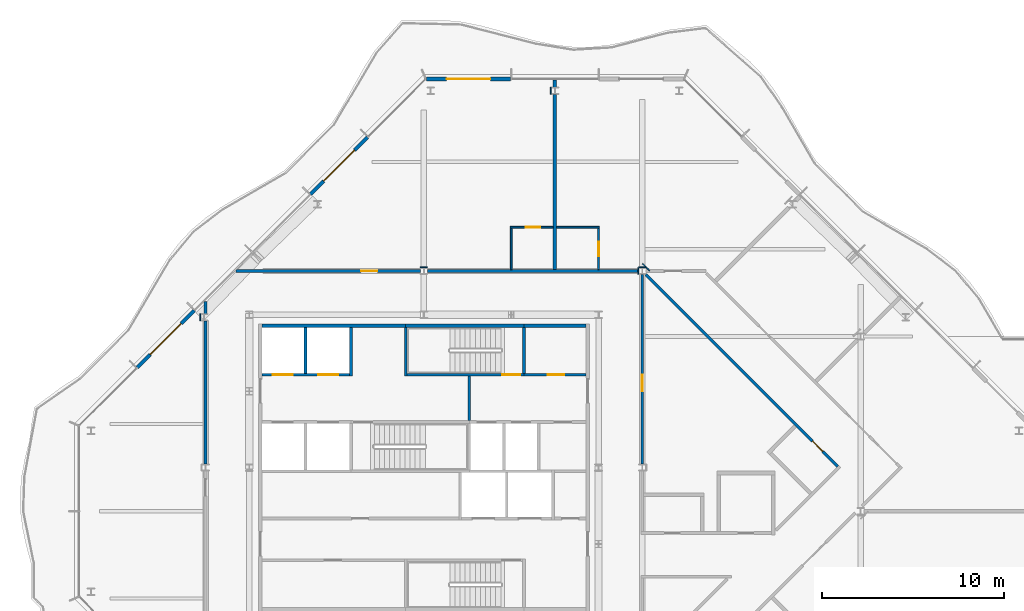
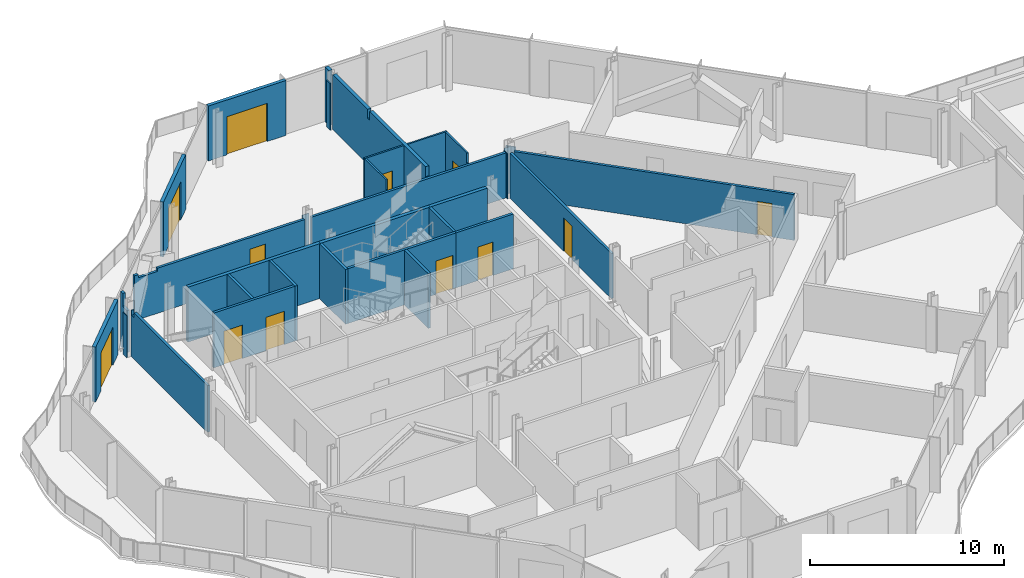
# One storey, part 10 of 16: 32 walls, 12 doors, 12 openings.
"""IFC4 building model written with IfcOpenShell, lengths in metres."""

import ifcopenshell
import ifcopenshell.guid

model = None  # the IFC model being written
_history = None  # IfcOwnerHistory: only IFC2X3 demands one
_inside = {}  # id of a spatial element -> (the spatial element, [elements in it])
_under = {}  # id of a project, library or spatial element -> (it, [spatial elements below it])
_declared = {}  # id of a project -> (the project, [libraries it declares])
_typed = {}  # id of a type object -> (the type object, [elements of that type])
_made_of = {}  # id of a material, layer set ... -> (it, [elements and type objects made of it])


def new_model(schema):
    """Start an empty IFC model of exactly this schema.

    Asked for "IFC4X3", IfcOpenShell would pick the latest addendum, in which some entities
    have other attributes; the version numbers below select the first issue.
    IFC2X3 requires an IfcOwnerHistory on every rooted entity: one is made here for all.
    """
    global model, _history
    if schema == "IFC4X3":
        model = ifcopenshell.file(schema_version=(4, 3, 0, 0))
    else:
        model = ifcopenshell.file(schema=schema)
    _inside.clear()
    _under.clear()
    _declared.clear()
    _typed.clear()
    _made_of.clear()
    _history = None
    if model.schema == "IFC2X3":
        org = make("IfcOrganization", Name="unknown")
        user = make(
            "IfcPersonAndOrganization",
            ThePerson=make("IfcPerson", FamilyName="unknown"),
            TheOrganization=org,
        )
        app = make(
            "IfcApplication",
            ApplicationDeveloper=org,
            Version="unknown",
            ApplicationFullName="unknown",
            ApplicationIdentifier="unknown",
        )
        _history = make(
            "IfcOwnerHistory",
            OwningUser=user,
            OwningApplication=app,
            ChangeAction="ADDED",
            CreationDate=0,
        )
    return model


def make(cls, **values):
    """One entity of the class cls with the attributes given. An attribute that is None is left unset."""
    return model.create_entity(
        cls, **{name: value for name, value in values.items() if value is not None}
    )


def rooted(cls, **values):
    """An entity with a GlobalId (a new one), such as an element, a storey or a relation."""
    return make(cls, GlobalId=ifcopenshell.guid.new(), OwnerHistory=_history, **values)


def si_unit(unit_type, name, prefix=None):
    """IfcSIUnit, for example si_unit("LENGTHUNIT", "METRE", prefix="MILLI")."""
    return make("IfcSIUnit", UnitType=unit_type, Prefix=prefix, Name=name)


def assignment(units):
    """IfcUnitAssignment: the units of a project."""
    return None if units is None else make("IfcUnitAssignment", Units=units)


def point(xyz):
    """IfcCartesianPoint."""
    return None if xyz is None else make("IfcCartesianPoint", Coordinates=xyz)


def direction(xyz):
    """IfcDirection."""
    return None if xyz is None else make("IfcDirection", DirectionRatios=xyz)


def frame(location, z_axis=None, x_axis=None):
    """IfcAxis2Placement3D, a coordinate frame: its origin and axes. An axis left out is left unset."""
    return make(
        "IfcAxis2Placement3D",
        Location=point(location),
        Axis=direction(z_axis),
        RefDirection=direction(x_axis),
    )


def frame_2d(location, x_axis=None):
    """IfcAxis2Placement2D, a coordinate frame in the plane: its origin and x axis."""
    return make(
        "IfcAxis2Placement2D", Location=point(location), RefDirection=direction(x_axis)
    )


def origin():
    """The frame at (0, 0, 0) with its axes left unset."""
    return frame((0.0, 0.0, 0.0))


def place(relative_to, where):
    """IfcLocalPlacement: puts the frame where relative to a parent placement (None: the world)."""
    return make(
        "IfcLocalPlacement", PlacementRelTo=relative_to, RelativePlacement=where
    )


def context(
    kind, dimensions, precision=None, world=None, true_north=None, identifier=None
):
    """IfcGeometricRepresentationContext, for example the 3D "Model" context."""
    return make(
        "IfcGeometricRepresentationContext",
        ContextIdentifier=identifier,
        ContextType=kind,
        CoordinateSpaceDimension=dimensions,
        Precision=precision,
        WorldCoordinateSystem=world,
        TrueNorth=true_north,
    )


def subcontext(parent, identifier, kind, view, scale=None):
    """IfcGeometricRepresentationSubContext, for example "Body" below "Model"."""
    return make(
        "IfcGeometricRepresentationSubContext",
        ContextIdentifier=identifier,
        ContextType=kind,
        ParentContext=parent,
        TargetScale=scale,
        TargetView=view,
    )


def project(units=None, contexts=None):
    """IfcProject with its units and contexts."""
    return rooted(
        "IfcProject",
        Name="project",
        RepresentationContexts=contexts,
        UnitsInContext=assignment(units),
    )


def spatial(cls, under=None, at=None, **own):
    """A site, building, storey or space (cls), placed at a placement, below another one or the project."""
    s = rooted(cls, ObjectPlacement=at, **own)
    if under is not None:
        _under.setdefault(under.id(), (under, []))[1].append(s)
    return s


def polyline(points):
    """IfcPolyline through the points."""
    return make("IfcPolyline", Points=[point(p) for p in points])


def profile(cls, at=None, kind="AREA", **sizes):
    """A parametric profile (cls). Its sizes go by their IFC names, for example OverallWidth=200.0."""
    return make(cls, ProfileType=kind, Position=at, **sizes)


def rectangle(**sizes):
    """IfcRectangleProfileDef."""
    return profile("IfcRectangleProfileDef", **sizes)


def outline(outer, holes=None, kind="AREA"):
    """IfcArbitraryClosedProfileDef: a profile drawn as a closed curve; with holes, ...WithVoids."""
    if holes is None:
        return make("IfcArbitraryClosedProfileDef", ProfileType=kind, OuterCurve=outer)
    return make(
        "IfcArbitraryProfileDefWithVoids",
        ProfileType=kind,
        OuterCurve=outer,
        InnerCurves=holes,
    )


def extrude(swept, where, along, depth):
    """IfcExtrudedAreaSolid: the profile swept, set in the frame where, extruded along a direction by depth."""
    return make(
        "IfcExtrudedAreaSolid",
        SweptArea=swept,
        Position=where,
        ExtrudedDirection=direction(along),
        Depth=depth,
    )


def shape(context_of_items, identifier, shape_type, items):
    """IfcShapeRepresentation: the items that make up one representation, for example the "Body"."""
    return make(
        "IfcShapeRepresentation",
        ContextOfItems=context_of_items,
        RepresentationIdentifier=identifier,
        RepresentationType=shape_type,
        Items=items,
    )


def material(Name=None, Category=None):
    """IfcMaterial."""
    return make("IfcMaterial", Name=Name, Category=Category)


def layer(
    of_material, thickness, ventilated=None, Name=None, Category=None, Priority=None
):
    """IfcMaterialLayer: one layer of a wall or slab, of a material (None: an air gap)."""
    return make(
        "IfcMaterialLayer",
        Material=of_material,
        LayerThickness=thickness,
        IsVentilated=ventilated,
        Name=Name,
        Category=Category,
        Priority=Priority,
    )


def layer_set(layers, Name=None):
    """IfcMaterialLayerSet."""
    return make("IfcMaterialLayerSet", MaterialLayers=layers, LayerSetName=Name)


def made_of(thing, what):
    """Note that an element or type object is made of a material, layer set ...; save() writes the relation."""
    if what is not None:
        _made_of.setdefault(what.id(), (what, []))[1].append(thing)
    return thing


def type_object(cls, material=None, **own):
    """A type object (cls), such as IfcWallType, which elements share."""
    return made_of(rooted(cls, **own), material)


def element(
    cls,
    number,
    at=None,
    inside=None,
    cuts=None,
    type_object=None,
    material=None,
    context=None,
    identifier="Body",
    shape_type=None,
    held_by="IfcProductDefinitionShape",
    body=None,
    shapes=None,
    **own,
):
    """One element of the class cls, such as IfcWall. Its Tag is "e" and its number.

    at: its placement. inside: the storey or other place that contains it. cuts: it is an
    opening in that element (IfcRelVoidsElement). A single representation is given by context,
    identifier, shape_type and body (its items); several are given by shapes. held_by: the class
    of the entity that holds the representations. save() writes the other relations.
    """
    e = rooted(cls, Tag="e%d" % number, ObjectPlacement=at, **own)
    if body is not None:
        shapes = [shape(context, identifier, shape_type, body)]
    if shapes is not None:
        e.Representation = make(held_by, Representations=shapes)
    if inside is not None:
        _inside.setdefault(inside.id(), (inside, []))[1].append(e)
    if cuts is not None:
        rooted(
            "IfcRelVoidsElement", RelatingBuildingElement=cuts, RelatedOpeningElement=e
        )
    if type_object is not None:
        _typed.setdefault(type_object.id(), (type_object, []))[1].append(e)
    return made_of(e, material)


def fill(opening, filler):
    """IfcRelFillsElement: the door or window that sits in an opening."""
    return rooted(
        "IfcRelFillsElement",
        RelatingOpeningElement=opening,
        RelatedBuildingElement=filler,
    )


def aggregate(whole, parts):
    """IfcRelAggregates: a whole, such as a stair, and the parts it consists of."""
    return rooted("IfcRelAggregates", RelatingObject=whole, RelatedObjects=parts)


def save(model, path):
    """Write the relations noted so far, then the file.

    IfcRelAggregates (storeys below a building ...), IfcRelContainedInSpatialStructure (elements
    in a storey), IfcRelDefinesByType, IfcRelAssociatesMaterial and IfcRelDeclares: one each for
    every whole, place, type object, material and project.
    """
    for whole, parts in _under.values():
        aggregate(whole, parts)
    for where, things in _inside.values():
        rooted(
            "IfcRelContainedInSpatialStructure",
            RelatedElements=things,
            RelatingStructure=where,
        )
    for kind, things in _typed.values():
        rooted("IfcRelDefinesByType", RelatedObjects=things, RelatingType=kind)
    for what, things in _made_of.values():
        rooted("IfcRelAssociatesMaterial", RelatedObjects=things, RelatingMaterial=what)
    for by, libraries in _declared.values():
        rooted("IfcRelDeclares", RelatingContext=by, RelatedDefinitions=libraries)
    model.write(path)


model = new_model("IFC4")

# Units and contexts
model_context = context("Model", 3, precision=1e-05, world=origin(), true_north=direction((0.0, 1.0)))
body_context = subcontext(model_context, "Body", "Model", "MODEL_VIEW")
ifc_project = project(units=[si_unit("LENGTHUNIT", "METRE"), si_unit("AREAUNIT", "SQUARE_METRE"), si_unit("VOLUMEUNIT", "CUBIC_METRE"), si_unit("PLANEANGLEUNIT", "RADIAN"), si_unit("MASSUNIT", "GRAM", prefix="KILO")], contexts=[model_context])

# Site, building, storey
site_placement = place(None, origin())
site = spatial("IfcSite", under=ifc_project, at=site_placement, CompositionType="ELEMENT")
building_placement = place(site_placement, origin())
building = spatial("IfcBuilding", under=site, at=building_placement, Name="Cairn Pilgrim Tower", CompositionType="ELEMENT")
storey_placement = place(building_placement, frame((0.0, 0.0, 267.0)))
storey = spatial("IfcBuildingStorey", under=building, at=storey_placement, Name="L68", CompositionType="ELEMENT", Elevation=267.0)

# Wall, opening, door
ifc_material_1 = material(Name="Bronze anodised aluminium insulated sandwich panel with mineral wool fill", Category="aluminium")
ifc_layer_1 = layer(ifc_material_1, 0.199951171875)
ifc_layer_set_1 = layer_set([ifc_layer_1], Name="BRONZE INFILL FRAME WALL 200")
wall_type_1 = type_object("IfcWallType", Name="BRONZE INFILL FRAME WALL 200", PredefinedType="NOTDEFINED", material=ifc_layer_set_1)
wall_1_placement = place(storey_placement, frame((11.969970703125, 23.75, 0.0), z_axis=(0.0, 0.0, 1.0), x_axis=(-1.0, 0.0, 0.0)))
wall_1 = element("IfcWall", 1, at=wall_1_placement, inside=storey, type_object=wall_type_1, Name="Bronze infill frame wall IW-N3", PredefinedType="NOTDEFINED", context=body_context, shape_type="SweptSolid", body=[
    extrude(rectangle(XDim=4.62646484375, YDim=0.199951171875, at=frame_2d((2.313232421875, 0.0))), origin(), (0.0, 0.0, 1.0), 3.449951171875),
])
opening_1_placement = place(wall_1_placement, frame((1.117919921875, 0.0, 0.0)))
opening_1 = element("IfcOpeningElement", 2, at=opening_1_placement, cuts=wall_1, Name="Opening 6807B2", PredefinedType="OPENING", context=body_context, shape_type="SweptSolid", body=[
    extrude(rectangle(XDim=2.39990234375, YDim=2.39990234375, at=frame_2d((1.199951171875, 1.199951171875))), frame((0.0, 0.10986328125, 0.0), z_axis=(0.0, -1.0, 0.0), x_axis=(1.0, 0.0, 0.0)), (0.0, 0.0, 1.0), 0.219970703125),
])
ifc_material_2 = material(Name="Bronze anodised aluminium frame with tinted low-E glass", Category="aluminium")
door_type_1 = type_object("IfcDoorType", Name="BALCONY SLIDING DOOR 2400x2400", OperationType="DOUBLE_DOOR_SLIDING", PredefinedType="DOOR", material=ifc_material_2)
door_1_placement = place(opening_1_placement, origin())
door_1 = element("IfcDoor", 3, at=door_1_placement, inside=storey, type_object=door_type_1, Name="Balcony sliding door 6807B2", OperationType="SINGLE_SWING_LEFT", OverallHeight=2.39990234375, OverallWidth=2.39990234375, PredefinedType="DOOR", context=body_context, shape_type="SweptSolid", body=[
    extrude(rectangle(XDim=2.39990234375, YDim=2.39990234375, at=frame_2d((1.199951171875, 1.199951171875))), frame((0.0, 0.02490234375, 0.0), z_axis=(0.0, -1.0, 0.0), x_axis=(1.0, 0.0, 0.0)), (0.0, 0.0, 1.0), 0.050048828125),
])
fill(opening_1, door_1)

wall_2_placement = place(storey_placement, frame((4.106689453125, 20.55322265625, 0.0), z_axis=(0.0, 0.0, 1.0), x_axis=(-0.707079231393, -0.707134329907, 0.0)))
wall_2 = element("IfcWall", 4, at=wall_2_placement, inside=storey, type_object=wall_type_1, Name="Bronze infill frame wall IW-NW2", PredefinedType="NOTDEFINED", context=body_context, shape_type="SweptSolid", body=[
    extrude(rectangle(XDim=4.430908203125, YDim=0.199951171875, at=frame_2d((2.21533203125, 0.0))), origin(), (0.0, 0.0, 1.0), 3.449951171875),
])
opening_2_placement = place(wall_2_placement, frame((1.015380859375, 0.0, 0.0)))
opening_2 = element("IfcOpeningElement", 5, at=opening_2_placement, cuts=wall_2, Name="Opening 6807B", PredefinedType="OPENING", context=body_context, shape_type="SweptSolid", body=[
    extrude(rectangle(XDim=2.39990234375, YDim=2.39990234375, at=frame_2d((1.199951171875, 1.199951171875))), frame((0.0, 0.10986328125, 0.0), z_axis=(0.0, -1.0, 0.0), x_axis=(1.0, 0.0, 0.0)), (0.0, 0.0, 1.0), 0.219970703125),
])
door_2_placement = place(opening_2_placement, origin())
door_2 = element("IfcDoor", 6, at=door_2_placement, inside=storey, type_object=door_type_1, Name="Balcony sliding door 6807B", OperationType="SINGLE_SWING_LEFT", OverallHeight=2.39990234375, OverallWidth=2.39990234375, PredefinedType="DOOR", context=body_context, shape_type="SweptSolid", body=[
    extrude(rectangle(XDim=2.39990234375, YDim=2.39990234375, at=frame_2d((1.199951171875, 1.199951171875))), frame((0.0, 0.02490234375, 0.0), z_axis=(0.0, -1.0, 0.0), x_axis=(1.0, 0.0, 0.0)), (0.0, 0.0, 1.0), 0.050048828125),
])
fill(opening_2, door_2)

wall_3_placement = place(storey_placement, frame((-5.419921875, 11.0263671875, 0.0), z_axis=(0.0, 0.0, 1.0), x_axis=(-0.707134329907, -0.707079231393, 0.0)))
wall_3 = element("IfcWall", 7, at=wall_3_placement, inside=storey, type_object=wall_type_1, Name="Bronze infill frame wall IW-NW5", PredefinedType="NOTDEFINED", context=body_context, shape_type="SweptSolid", body=[
    extrude(rectangle(XDim=4.430908203125, YDim=0.199951171875, at=frame_2d((2.21533203125, 0.0))), origin(), (0.0, 0.0, 1.0), 3.449951171875),
])
opening_3_placement = place(wall_3_placement, frame((1.01513671875, 0.0, 0.0)))
opening_3 = element("IfcOpeningElement", 8, at=opening_3_placement, cuts=wall_3, Name="Opening 6808B", PredefinedType="OPENING", context=body_context, shape_type="SweptSolid", body=[
    extrude(rectangle(XDim=2.39990234375, YDim=2.39990234375, at=frame_2d((1.199951171875, 1.199951171875))), frame((0.0, 0.10986328125, 0.0), z_axis=(0.0, -1.0, 0.0), x_axis=(1.0, 0.0, 0.0)), (0.0, 0.0, 1.0), 0.219970703125),
])
door_3_placement = place(opening_3_placement, origin())
door_3 = element("IfcDoor", 9, at=door_3_placement, inside=storey, type_object=door_type_1, Name="Balcony sliding door 6808B", OperationType="SINGLE_SWING_LEFT", OverallHeight=2.39990234375, OverallWidth=2.39990234375, PredefinedType="DOOR", context=body_context, shape_type="SweptSolid", body=[
    extrude(rectangle(XDim=2.39990234375, YDim=2.39990234375, at=frame_2d((1.199951171875, 1.199951171875))), frame((0.0, 0.02490234375, 0.0), z_axis=(0.0, -1.0, 0.0), x_axis=(1.0, 0.0, 0.0)), (0.0, 0.0, 1.0), 0.050048828125),
])
fill(opening_3, door_3)

# Walls
ifc_material_3 = material(Name="Concrete C32/40", Category="concrete")
ifc_layer_2 = layer(ifc_material_3, 0.199951171875)
ifc_layer_set_2 = layer_set([ifc_layer_2], Name="CORE OUTER WALL 200 EI 120")
wall_type_2 = type_object("IfcWallType", Name="CORE OUTER WALL 200 EI 120", PredefinedType="SOLIDWALL", material=ifc_layer_set_2)
wall_4_placement = place(storey_placement, frame((-1.699951171875, 10.199951171875, 0.0), z_axis=(0.0, 0.0, 1.0), x_axis=(1.0, 0.0, 0.0)))
element("IfcWall", 10, at=wall_4_placement, inside=storey, type_object=wall_type_2, Name="CW:L68:H12-1", PredefinedType="SOLIDWALL", context=body_context, shape_type="SweptSolid", body=[
    extrude(rectangle(XDim=7.89990234375, YDim=0.199951171875, at=frame_2d((3.949951171875, 0.0))), origin(), (0.0, 0.0, 1.0), 3.449951171875),
])
wall_5_placement = place(storey_placement, frame((12.699951171875, 10.199951171875, 0.0), z_axis=(0.0, 0.0, 1.0), x_axis=(1.0, 0.0, 0.0)))
element("IfcWall", 11, at=wall_5_placement, inside=storey, type_object=wall_type_2, Name="CW:L68:H12-3", PredefinedType="SOLIDWALL", context=body_context, shape_type="SweptSolid", body=[
    extrude(rectangle(XDim=3.400146484375, YDim=0.199951171875, at=frame_2d((1.7001953125, 0.0))), origin(), (0.0, 0.0, 1.0), 3.449951171875),
])

# Wall, openings, doors
ifc_layer_3 = layer(ifc_material_3, 0.14990234375)
ifc_layer_set_3 = layer_set([ifc_layer_3], Name="CORE SHAFT WALL 150 EI 120")
wall_type_3 = type_object("IfcWallType", Name="CORE SHAFT WALL 150 EI 120", PredefinedType="SOLIDWALL", material=ifc_layer_set_3)
wall_6_placement = place(storey_placement, frame((-1.699951171875, 7.5, 0.0), z_axis=(0.0, 0.0, 1.0), x_axis=(1.0, 0.0, 0.0)))
wall_6 = element("IfcWall", 12, at=wall_6_placement, inside=storey, type_object=wall_type_3, Name="CW:L68:H10", PredefinedType="SOLIDWALL", context=body_context, shape_type="SweptSolid", body=[
    extrude(rectangle(XDim=4.824951171875, YDim=0.14990234375, at=frame_2d((2.41259765625, 0.0))), origin(), (0.0, 0.0, 1.0), 3.449951171875),
])
opening_4_placement = place(wall_6_placement, frame((0.60009765625, 0.0, 0.0)))
opening_4 = element("IfcOpeningElement", 13, at=opening_4_placement, cuts=wall_6, Name="Opening LD-HR3", PredefinedType="OPENING", context=body_context, shape_type="SweptSolid", body=[
    extrude(rectangle(XDim=1.10009765625, YDim=2.10009765625, at=frame_2d((0.550048828125, 1.050048828125))), frame((0.0, 0.0849609375, 0.0), z_axis=(0.0, -1.0, 0.0), x_axis=(1.0, 0.0, 0.0)), (0.0, 0.0, 1.0), 0.169921875),
])
opening_5_placement = place(wall_6_placement, frame((3.10009765625, 0.0, 0.0)))
opening_5 = element("IfcOpeningElement", 14, at=opening_5_placement, cuts=wall_6, Name="Opening LD-HR4", PredefinedType="OPENING", context=body_context, shape_type="SweptSolid", body=[
    extrude(rectangle(XDim=1.10009765625, YDim=2.10009765625, at=frame_2d((0.550048828125, 1.050048828125))), frame((0.0, 0.0849609375, 0.0), z_axis=(0.0, -1.0, 0.0), x_axis=(1.0, 0.0, 0.0)), (0.0, 0.0, 1.0), 0.169921875),
])
ifc_material_4 = material(Name="Stainless steel", Category="steel")
door_type_2 = type_object("IfcDoorType", Name="LIFT LANDING DOOR 1100x2100", OperationType="DOUBLE_DOOR_SLIDING", PredefinedType="DOOR", material=ifc_material_4)
door_4_placement = place(opening_4_placement, origin())
door_4 = element("IfcDoor", 15, at=door_4_placement, inside=storey, type_object=door_type_2, Name="LANDING DOOR HR3", OperationType="DOUBLE_DOOR_SLIDING", OverallHeight=2.10009765625, OverallWidth=1.10009765625, PredefinedType="DOOR", context=body_context, shape_type="SweptSolid", body=[
    extrude(rectangle(XDim=1.10009765625, YDim=2.10009765625, at=frame_2d((0.550048828125, 1.050048828125))), frame((0.0, 0.02490234375, 0.0), z_axis=(0.0, -1.0, 0.0), x_axis=(1.0, 0.0, 0.0)), (0.0, 0.0, 1.0), 0.050048828125),
])
fill(opening_4, door_4)
door_5_placement = place(opening_5_placement, origin())
door_5 = element("IfcDoor", 16, at=door_5_placement, inside=storey, type_object=door_type_2, Name="LANDING DOOR HR4", OperationType="DOUBLE_DOOR_SLIDING", OverallHeight=2.10009765625, OverallWidth=1.10009765625, PredefinedType="DOOR", context=body_context, shape_type="SweptSolid", body=[
    extrude(rectangle(XDim=1.10009765625, YDim=2.10009765625, at=frame_2d((0.550048828125, 1.050048828125))), frame((0.0, 0.02490234375, 0.0), z_axis=(0.0, -1.0, 0.0), x_axis=(1.0, 0.0, 0.0)), (0.0, 0.0, 1.0), 0.050048828125),
])
fill(opening_5, door_5)

# Wall, opening, door
wall_7_placement = place(storey_placement, frame((12.699951171875, 7.5, 0.0), z_axis=(0.0, 0.0, 1.0), x_axis=(1.0, 0.0, 0.0)))
wall_7 = element("IfcWall", 17, at=wall_7_placement, inside=storey, type_object=wall_type_3, Name="CW:L68:H11-2", PredefinedType="SOLIDWALL", context=body_context, shape_type="SweptSolid", body=[
    extrude(rectangle(XDim=3.400146484375, YDim=0.14990234375, at=frame_2d((1.7001953125, 0.0))), origin(), (0.0, 0.0, 1.0), 3.449951171875),
])
opening_6_placement = place(wall_7_placement, frame((1.300048828125, 0.0, 0.0)))
opening_6 = element("IfcOpeningElement", 18, at=opening_6_placement, cuts=wall_7, Name="Opening RD-R4E", PredefinedType="OPENING", context=body_context, shape_type="SweptSolid", body=[
    extrude(rectangle(XDim=0.89990234375, YDim=2.10009765625, at=frame_2d((0.449951171875, 1.050048828125))), frame((0.0, 0.0849609375, 0.0), z_axis=(0.0, -1.0, 0.0), x_axis=(1.0, 0.0, 0.0)), (0.0, 0.0, 1.0), 0.169921875),
])
ifc_material_5 = material(Name="Painted steel", Category="steel")
door_type_3 = type_object("IfcDoorType", Name="SERVICE ROOM DOOR 900x2100", OperationType="SINGLE_SWING_LEFT", PredefinedType="DOOR", material=ifc_material_5)
door_6_placement = place(opening_6_placement, origin())
door_6 = element("IfcDoor", 19, at=door_6_placement, inside=storey, type_object=door_type_3, Name="RD-R4E", OperationType="SINGLE_SWING_RIGHT", OverallHeight=2.10009765625, OverallWidth=0.89990234375, PredefinedType="DOOR", context=body_context, shape_type="SweptSolid", body=[
    extrude(rectangle(XDim=0.89990234375, YDim=2.10009765625, at=frame_2d((0.449951171875, 1.050048828125))), frame((0.0, 0.02490234375, 0.0), z_axis=(0.0, -1.0, 0.0), x_axis=(1.0, 0.0, 0.0)), (0.0, 0.0, 1.0), 0.050048828125),
])
fill(opening_6, door_6)

# Walls
wall_8_placement = place(storey_placement, frame((0.699951171875, 7.574951171875, 0.0), z_axis=(0.0, 0.0, 1.0), x_axis=(0.0, 1.0, 0.0)))
element("IfcWall", 20, at=wall_8_placement, inside=storey, type_object=wall_type_3, Name="CW:L68:V15", PredefinedType="SOLIDWALL", context=body_context, shape_type="SweptSolid", body=[
    extrude(rectangle(XDim=2.525146484375, YDim=0.14990234375, at=frame_2d((1.2626953125, 0.0))), origin(), (0.0, 0.0, 1.0), 3.449951171875),
])
wall_9_placement = place(storey_placement, frame((3.199951171875, 7.425048828125, 0.0), z_axis=(0.0, 0.0, 1.0), x_axis=(0.0, 1.0, 0.0)))
element("IfcWall", 21, at=wall_9_placement, inside=storey, type_object=wall_type_3, Name="CW:L68:V17", PredefinedType="SOLIDWALL", context=body_context, shape_type="SweptSolid", body=[
    extrude(rectangle(XDim=2.675048828125, YDim=0.14990234375, at=frame_2d((1.33740234375, 0.0))), origin(), (0.0, 0.0, 1.0), 3.449951171875),
])
wall_10_placement = place(storey_placement, frame((9.699951171875, 4.97509765625, 0.0), z_axis=(0.0, 0.0, 1.0), x_axis=(0.0, 1.0, 0.0)))
element("IfcWall", 22, at=wall_10_placement, inside=storey, type_object=wall_type_3, Name="CW:L68:V22", PredefinedType="SOLIDWALL", context=body_context, shape_type="SweptSolid", body=[
    extrude(rectangle(XDim=2.449951171875, YDim=0.14990234375, at=frame_2d((1.22509765625, 0.0))), origin(), (0.0, 0.0, 1.0), 3.449951171875),
])
ifc_material_6 = material(Name="Gypsum partition")
ifc_layer_4 = layer(ifc_material_6, 0.10009765625)
ifc_layer_set_4 = layer_set([ifc_layer_4], Name="PARTITION 100 DRYWALL")
wall_type_4 = type_object("IfcWallType", Name="PARTITION 100 DRYWALL", PredefinedType="PARTITIONING", material=ifc_layer_set_4)
wall_11_placement = place(storey_placement, frame((12.0, 13.27490234375, 0.0), z_axis=(0.0, 0.0, 1.0), x_axis=(0.0, 1.0, 0.0)))
element("IfcWall", 23, at=wall_11_placement, inside=storey, type_object=wall_type_4, Name="PARTITION W054", PredefinedType="PARTITIONING", context=body_context, shape_type="SweptSolid", body=[
    extrude(outline(polyline([(0.0, 0.0), (2.275146484375, 0.0), (2.27490234375, 3.449951171875), (0.074951171875, 3.449951171875), (0.072998046875, 2.830078125), (0.0, 2.830078125), (0.0, 0.0)])), frame((0.0, 0.050048828125, 0.0), z_axis=(0.0, -1.0, 0.0), x_axis=(1.0, 0.0, 0.0)), (0.0, 0.0, 1.0), 0.10009765625),
])

# Wall, opening, door
wall_12_placement = place(storey_placement, frame((16.800048828125, 13.27490234375, 0.0), z_axis=(0.0, 0.0, 1.0), x_axis=(0.0, 1.0, 0.0)))
wall_12 = element("IfcWall", 24, at=wall_12_placement, inside=storey, type_object=wall_type_4, Name="PARTITION W056", PredefinedType="PARTITIONING", context=body_context, shape_type="SweptSolid", body=[
    extrude(outline(polyline([(0.0, 0.0), (2.275146484375, 0.0), (2.27490234375, 3.449951171875), (0.074951171875, 3.449951171875), (0.072998046875, 2.830078125), (0.0, 2.830078125), (0.0, 0.0)])), frame((0.0, 0.050048828125, 0.0), z_axis=(0.0, -1.0, 0.0), x_axis=(1.0, 0.0, 0.0)), (0.0, 0.0, 1.0), 0.10009765625),
])
opening_7_placement = place(wall_12_placement, frame((0.72509765625, 0.0, 0.0)))
opening_7 = element("IfcOpeningElement", 25, at=opening_7_placement, cuts=wall_12, Name="Opening 6806A", PredefinedType="OPENING", context=body_context, shape_type="SweptSolid", body=[
    extrude(rectangle(XDim=0.800048828125, YDim=2.10009765625, at=frame_2d((0.39990234375, 1.050048828125))), frame((0.0, 0.06005859375, 0.0), z_axis=(0.0, -1.0, 0.0), x_axis=(1.0, 0.0, 0.0)), (0.0, 0.0, 1.0), 0.1201171875),
])
ifc_material_7 = material(Name="Timber door leaf", Category="wood")
door_type_4 = type_object("IfcDoorType", Name="WC DOOR 800x2100", OperationType="NOTDEFINED", PredefinedType="DOOR", material=ifc_material_7)
door_7_placement = place(opening_7_placement, frame((0.800048828125, 0.0, 0.0), z_axis=(0.0, 0.0, 1.0), x_axis=(-1.0, 0.0, 0.0)))
door_7 = element("IfcDoor", 26, at=door_7_placement, inside=storey, type_object=door_type_4, Name="DOOR 6806A", OperationType="SINGLE_SWING_RIGHT", OverallHeight=2.10009765625, OverallWidth=0.800048828125, PredefinedType="DOOR", context=body_context, shape_type="SweptSolid", body=[
    extrude(rectangle(XDim=0.800048828125, YDim=2.10009765625, at=frame_2d((0.39990234375, 1.050048828125))), frame((0.0, 0.02490234375, 0.0), z_axis=(0.0, -1.0, 0.0), x_axis=(1.0, 0.0, 0.0)), (0.0, 0.0, 1.0), 0.050048828125),
])
fill(opening_7, door_7)

wall_13_placement = place(storey_placement, frame((11.949951171875, 15.60009765625, 0.0), z_axis=(0.0, 0.0, 1.0), x_axis=(1.0, 0.0, 0.0)))
wall_13 = element("IfcWall", 27, at=wall_13_placement, inside=storey, type_object=wall_type_4, Name="PARTITION W057", PredefinedType="PARTITIONING", context=body_context, shape_type="SweptSolid", body=[
    extrude(rectangle(XDim=2.35009765625, YDim=0.10009765625, at=frame_2d((1.175048828125, 0.0))), origin(), (0.0, 0.0, 1.0), 3.449951171875),
])
opening_8_placement = place(wall_13_placement, frame((0.85009765625, 0.0, 0.0)))
opening_8 = element("IfcOpeningElement", 28, at=opening_8_placement, cuts=wall_13, Name="Opening 6807A", PredefinedType="OPENING", context=body_context, shape_type="SweptSolid", body=[
    extrude(rectangle(XDim=0.800048828125, YDim=2.10009765625, at=frame_2d((0.39990234375, 1.050048828125))), frame((0.0, 0.06005859375, 0.0), z_axis=(0.0, -1.0, 0.0), x_axis=(1.0, 0.0, 0.0)), (0.0, 0.0, 1.0), 0.1201171875),
])
door_8_placement = place(opening_8_placement, origin())
door_8 = element("IfcDoor", 29, at=door_8_placement, inside=storey, type_object=door_type_4, Name="DOOR 6807A", OperationType="SINGLE_SWING_RIGHT", OverallHeight=2.10009765625, OverallWidth=0.800048828125, PredefinedType="DOOR", context=body_context, shape_type="SweptSolid", body=[
    extrude(rectangle(XDim=0.800048828125, YDim=2.10009765625, at=frame_2d((0.39990234375, 1.050048828125))), frame((0.0, 0.02490234375, 0.0), z_axis=(0.0, -1.0, 0.0), x_axis=(1.0, 0.0, 0.0)), (0.0, 0.0, 1.0), 0.050048828125),
])
fill(opening_8, door_8)

# Wall
wall_14_placement = place(storey_placement, frame((14.5, 15.60009765625, 0.0), z_axis=(0.0, 0.0, 1.0), x_axis=(1.0, 0.0, 0.0)))
element("IfcWall", 30, at=wall_14_placement, inside=storey, type_object=wall_type_4, Name="PARTITION W058", PredefinedType="PARTITIONING", context=body_context, shape_type="SweptSolid", body=[
    extrude(rectangle(XDim=2.35009765625, YDim=0.10009765625, at=frame_2d((1.175048828125, 0.0))), origin(), (0.0, 0.0, 1.0), 3.449951171875),
])

# Wall, opening, door
ifc_layer_5 = layer(ifc_material_6, 0.14990234375)
ifc_layer_set_5 = layer_set([ifc_layer_5], Name="PARTITION 150 DRYWALL EI 60")
wall_type_5 = type_object("IfcWallType", Name="PARTITION 150 DRYWALL EI 60", PredefinedType="PARTITIONING", material=ifc_layer_set_5)
wall_15_placement = place(storey_placement, frame((29.947021484375, 2.452880859375, 0.0), z_axis=(0.0, 0.0, 1.0), x_axis=(-0.707098603185, 0.707114959093, 0.0)))
wall_15 = element("IfcWall", 31, at=wall_15_placement, inside=storey, type_object=wall_type_5, Name="PARTITION W042", PredefinedType="PARTITIONING", context=body_context, shape_type="SweptSolid", body=[
    extrude(rectangle(XDim=14.9267578125, YDim=0.14990234375, at=frame_2d((7.46337890625, 0.0))), origin(), (0.0, 0.0, 1.0), 2.8798828125),
])
opening_9_placement = place(wall_15_placement, frame((1.175048828125, 0.0, 0.0)))
opening_9 = element("IfcOpeningElement", 32, at=opening_9_placement, cuts=wall_15, Name="Opening 6812", PredefinedType="OPENING", context=body_context, shape_type="SweptSolid", body=[
    extrude(rectangle(XDim=0.800048828125, YDim=2.10009765625, at=frame_2d((0.39990234375, 1.050048828125))), frame((0.0, 0.0849609375, 0.0), z_axis=(0.0, -1.0, 0.0), x_axis=(1.0, 0.0, 0.0)), (0.0, 0.0, 1.0), 0.169921875),
])
door_type_5 = type_object("IfcDoorType", Name="WC DOOR 800x2100 FD30S", OperationType="NOTDEFINED", PredefinedType="DOOR", material=ifc_material_7)
door_9_placement = place(opening_9_placement, origin())
door_9 = element("IfcDoor", 33, at=door_9_placement, inside=storey, type_object=door_type_5, Name="DOOR 6812", OperationType="SINGLE_SWING_LEFT", OverallHeight=2.10009765625, OverallWidth=0.800048828125, PredefinedType="DOOR", context=body_context, shape_type="SweptSolid", body=[
    extrude(rectangle(XDim=0.800048828125, YDim=2.10009765625, at=frame_2d((0.39990234375, 1.050048828125))), frame((0.0, 0.02490234375, 0.0), z_axis=(0.0, -1.0, 0.0), x_axis=(1.0, 0.0, 0.0)), (0.0, 0.0, 1.0), 0.050048828125),
])
fill(opening_9, door_9)

# Wall
wall_16_placement = place(storey_placement, frame((-4.800048828125, 2.58740234375, 0.0), z_axis=(0.0, 0.0, 1.0), x_axis=(0.0, 1.0, 0.0)))
element("IfcWall", 34, at=wall_16_placement, inside=storey, type_object=wall_type_5, Name="PARTITION W044", PredefinedType="PARTITIONING", context=body_context, shape_type="SweptSolid", body=[
    extrude(outline(polyline([(0.0, 0.0), (7.86767578125, 0.0), (7.867431640625, 2.929931640625), (7.809326171875, 2.929931640625), (7.807373046875, 2.6298828125), (7.569580078125, 2.6298828125), (7.567626953125, 2.929931640625), (0.0, 2.929931640625), (0.0, 0.0)])), frame((0.0, 0.074951171875, 0.0), z_axis=(0.0, -1.0, 0.0), x_axis=(1.0, 0.0, 0.0)), (0.0, 0.0, 1.0), 0.14990234375),
])

# Wall, opening, door
wall_17_placement = place(storey_placement, frame((19.199951171875, 2.58740234375, 0.0), z_axis=(0.0, 0.0, 1.0), x_axis=(0.0, 1.0, 0.0)))
wall_17 = element("IfcWall", 35, at=wall_17_placement, inside=storey, type_object=wall_type_5, Name="PARTITION W045", PredefinedType="PARTITIONING", context=body_context, shape_type="SweptSolid", body=[
    extrude(rectangle(XDim=10.425048828125, YDim=0.14990234375, at=frame_2d((5.21240234375, 0.0))), origin(), (0.0, 0.0, 1.0), 2.830078125),
])
opening_10_placement = place(wall_17_placement, frame((4.012451171875, 0.0, 0.0)))
opening_10 = element("IfcOpeningElement", 36, at=opening_10_placement, cuts=wall_17, Name="Opening 6815", PredefinedType="OPENING", context=body_context, shape_type="SweptSolid", body=[
    extrude(rectangle(XDim=0.89990234375, YDim=2.10009765625, at=frame_2d((0.449951171875, 1.050048828125))), frame((0.0, 0.0849609375, 0.0), z_axis=(0.0, -1.0, 0.0), x_axis=(1.0, 0.0, 0.0)), (0.0, 0.0, 1.0), 0.169921875),
])
door_type_6 = type_object("IfcDoorType", Name="SERVICE DOOR 900x2100 FD30S", OperationType="NOTDEFINED", PredefinedType="DOOR", material=ifc_material_7)
door_10_placement = place(opening_10_placement, frame((0.89990234375, 0.0, 0.0), z_axis=(0.0, 0.0, 1.0), x_axis=(-1.0, 0.0, 0.0)))
door_10 = element("IfcDoor", 37, at=door_10_placement, inside=storey, type_object=door_type_6, Name="DOOR 6815", OperationType="SINGLE_SWING_LEFT", OverallHeight=2.10009765625, OverallWidth=0.89990234375, PredefinedType="DOOR", context=body_context, shape_type="SweptSolid", body=[
    extrude(rectangle(XDim=0.89990234375, YDim=2.10009765625, at=frame_2d((0.449951171875, 1.050048828125))), frame((0.0, 0.02490234375, 0.0), z_axis=(0.0, -1.0, 0.0), x_axis=(1.0, 0.0, 0.0)), (0.0, 0.0, 1.0), 0.050048828125),
])
fill(opening_10, door_10)

# Wall
wall_18_placement = place(storey_placement, frame((-4.800048828125, 10.847900390625, 0.0), z_axis=(0.0, 0.0, 1.0), x_axis=(0.0, 1.0, 0.0)))
element("IfcWall", 38, at=wall_18_placement, inside=storey, type_object=wall_type_5, Name="PARTITION W049", PredefinedType="PARTITIONING", context=body_context, shape_type="SweptSolid", body=[
    extrude(outline(polyline([(0.0, 0.0), (0.67822265625, 0.0), (0.677978515625, 3.449951171875), (0.44921875, 3.449951171875), (0.447265625, 2.6298828125), (0.0, 2.6298828125), (0.0, 0.0)])), frame((0.0, 0.074951171875, 0.0), z_axis=(0.0, -1.0, 0.0), x_axis=(1.0, 0.0, 0.0)), (0.0, 0.0, 1.0), 0.14990234375),
])

# Wall, opening, door
wall_19_placement = place(storey_placement, frame((-3.126220703125, 13.199951171875, 0.0), z_axis=(0.0, 0.0, 1.0), x_axis=(1.0, 0.0, 0.0)))
wall_19 = element("IfcWall", 39, at=wall_19_placement, inside=storey, type_object=wall_type_5, Name="PARTITION W051", PredefinedType="PARTITIONING", context=body_context, shape_type="SweptSolid", body=[
    extrude(outline(polyline([(0.0, 0.0), (10.129150390625, 0.0), (10.129150390625, 2.830078125), (1.368896484375, 2.830078125), (1.366943359375, 2.6298828125), (0.22900390625, 2.6298828125), (0.226806640625, 2.830078125), (0.0, 2.830078125), (0.0, 0.0)])), frame((0.0, 0.074951171875, 0.0), z_axis=(0.0, -1.0, 0.0), x_axis=(1.0, 0.0, 0.0)), (0.0, 0.0, 1.0), 0.14990234375),
])
opening_11_placement = place(wall_19_placement, frame((6.8759765625, 0.0, 0.0)))
opening_11 = element("IfcOpeningElement", 40, at=opening_11_placement, cuts=wall_19, Name="Opening 6807", PredefinedType="OPENING", context=body_context, shape_type="SweptSolid", body=[
    extrude(rectangle(XDim=0.89990234375, YDim=2.10009765625, at=frame_2d((0.449951171875, 1.050048828125))), frame((0.0, 0.0849609375, 0.0), z_axis=(0.0, -1.0, 0.0), x_axis=(1.0, 0.0, 0.0)), (0.0, 0.0, 1.0), 0.169921875),
])
door_type_7 = type_object("IfcDoorType", Name="ROOM DOOR 900x2100 FD30S", OperationType="NOTDEFINED", PredefinedType="DOOR", material=ifc_material_7)
door_11_placement = place(opening_11_placement, origin())
door_11 = element("IfcDoor", 41, at=door_11_placement, inside=storey, type_object=door_type_7, Name="DOOR 6807", OperationType="SINGLE_SWING_RIGHT", OverallHeight=2.10009765625, OverallWidth=0.89990234375, PredefinedType="DOOR", context=body_context, shape_type="SweptSolid", body=[
    extrude(rectangle(XDim=0.89990234375, YDim=2.10009765625, at=frame_2d((0.449951171875, 1.050048828125))), frame((0.0, 0.02490234375, 0.0), z_axis=(0.0, -1.0, 0.0), x_axis=(1.0, 0.0, 0.0)), (0.0, 0.0, 1.0), 0.050048828125),
])
fill(opening_11, door_11)

# Walls
wall_20_placement = place(storey_placement, frame((7.39697265625, 13.199951171875, 0.0), z_axis=(0.0, 0.0, 1.0), x_axis=(1.0, 0.0, 0.0)))
element("IfcWall", 42, at=wall_20_placement, inside=storey, type_object=wall_type_5, Name="PARTITION W052", PredefinedType="PARTITIONING", context=body_context, shape_type="SweptSolid", body=[
    extrude(rectangle(XDim=11.60595703125, YDim=0.14990234375, at=frame_2d((5.802978515625, 0.0))), origin(), (0.0, 0.0, 1.0), 2.830078125),
])
ifc_layer_6 = layer(ifc_material_6, 0.050048828125)
ifc_layer_set_6 = layer_set([ifc_layer_6], Name="PARTITION 50 DRYWALL EI 60")
wall_type_6 = type_object("IfcWallType", Name="PARTITION 50 DRYWALL EI 60", PredefinedType="PARTITIONING", material=ifc_layer_set_6)
wall_21_placement = place(storey_placement, frame((-5.10009765625, 10.455078125, 0.0), z_axis=(0.0, 0.0, 1.0), x_axis=(0.0, 1.0, 0.0)))
element("IfcWall", 43, at=wall_21_placement, inside=storey, type_object=wall_type_6, Name="COLUMN CASING WC11", PredefinedType="PARTITIONING", context=body_context, shape_type="SweptSolid", body=[
    extrude(rectangle(XDim=0.392822265625, YDim=0.050048828125, at=frame_2d((0.1962890625, 0.0))), origin(), (0.0, 0.0, 1.0), 2.6298828125),
])
wall_22_placement = place(storey_placement, frame((18.97802734375, 13.012451171875, 0.0), z_axis=(0.0, 0.0, 1.0), x_axis=(0.0, 1.0, 0.0)))
element("IfcWall", 44, at=wall_22_placement, inside=storey, type_object=wall_type_6, Name="COLUMN CASING WC17", PredefinedType="PARTITIONING", context=body_context, shape_type="SweptSolid", body=[
    extrude(rectangle(XDim=0.375, YDim=0.050048828125, at=frame_2d((0.1875, 0.0))), origin(), (0.0, 0.0, 1.0), 2.830078125),
])
wall_23_placement = place(storey_placement, frame((19.602294921875, 13.2177734375, 0.0), z_axis=(0.0, 0.0, 1.0), x_axis=(-0.707106781187, 0.707106781187, 0.0)))
element("IfcWall", 45, at=wall_23_placement, inside=storey, type_object=wall_type_6, Name="COLUMN CASING WC19", PredefinedType="PARTITIONING", context=body_context, shape_type="SweptSolid", body=[
    extrude(rectangle(XDim=0.543701171875, YDim=0.050048828125, at=frame_2d((0.27197265625, 0.0))), origin(), (0.0, 0.0, 1.0), 2.929931640625),
])
for number, where, z_axis, x_axis, name in (
    (46, (7.0029296875, 13.41259765625, 0.0), (0.0, 0.0, 1.0), (1.0, 0.0, 0.0), "COLUMN CASING WC22"),
    (47, (19.0029296875, 13.41259765625, 0.0), (0.0, 0.0, 1.0), (1.0, 0.0, 0.0), "COLUMN CASING WC23"),
):
    element("IfcWall", number, at=place(storey_placement, frame(where, z_axis=z_axis, x_axis=x_axis)), inside=storey, type_object=wall_type_6, Name=name, PredefinedType="PARTITIONING", context=body_context, shape_type="SweptSolid", body=[
        extrude(rectangle(XDim=0.39404296875, YDim=0.050048828125, at=frame_2d((0.197021484375, 0.0))), origin(), (0.0, 0.0, 1.0), 2.929931640625),
    ])
wall_24_placement = place(storey_placement, frame((14.175537109375, 22.903564453125, 0.0), z_axis=(0.0, 0.0, 1.0), x_axis=(0.0, 1.0, 0.0)))
element("IfcWall", 48, at=wall_24_placement, inside=storey, type_object=wall_type_6, Name="COLUMN CASING WC24", PredefinedType="PARTITIONING", context=body_context, shape_type="SweptSolid", body=[
    extrude(rectangle(XDim=0.392822265625, YDim=0.050048828125, at=frame_2d((0.1962890625, 0.0))), origin(), (0.0, 0.0, 1.0), 2.929931640625),
])
ifc_layer_7 = layer(ifc_material_6, 0.199951171875)
ifc_layer_set_7 = layer_set([ifc_layer_7], Name="SHAFT WALL 200 GYPSUM EI 60")
wall_type_7 = type_object("IfcWallType", Name="SHAFT WALL 200 GYPSUM EI 60", PredefinedType="PARTITIONING", material=ifc_layer_set_7)
wall_25_placement = place(storey_placement, frame((14.39990234375, 13.27490234375, 0.0), z_axis=(0.0, 0.0, 1.0), x_axis=(0.0, 1.0, 0.0)))
element("IfcWall", 49, at=wall_25_placement, inside=storey, type_object=wall_type_7, Name="PARTITION W055", PredefinedType="PARTITIONING", context=body_context, shape_type="SweptSolid", body=[
    extrude(outline(polyline([(0.0, 0.0), (9.628662109375, 0.0), (9.62841796875, 3.449951171875), (6.030029296875, 3.449951171875), (6.028076171875, 2.8798828125), (5.820068359375, 2.8798828125), (5.818115234375, 3.449951171875), (0.074951171875, 3.449951171875), (0.072998046875, 2.830078125), (0.0, 2.830078125), (0.0, 0.0)])), frame((0.0, 0.10009765625, 0.0), z_axis=(0.0, -1.0, 0.0), x_axis=(1.0, 0.0, 0.0)), (0.0, 0.0, 1.0), 0.199951171875),
])
wall_26_placement = place(storey_placement, frame((14.39990234375, 23.29638671875, 0.0), z_axis=(0.0, 0.0, 1.0), x_axis=(0.0, 1.0, 0.0)))
element("IfcWall", 50, at=wall_26_placement, inside=storey, type_object=wall_type_7, Name="PARTITION W060", PredefinedType="PARTITIONING", context=body_context, shape_type="SweptSolid", body=[
    extrude(rectangle(XDim=0.406494140625, YDim=0.199951171875, at=frame_2d((0.203125, 0.0))), origin(), (0.0, 0.0, 1.0), 3.449951171875),
])

# Wall, opening, door
ifc_material_8 = material(Name="Concrete C35/45", Category="concrete")
ifc_layer_8 = layer(ifc_material_8, 0.14990234375)
ifc_layer_set_8 = layer_set([ifc_layer_8], Name="STAIR SHAFT WALL 150 EI 120")
wall_type_8 = type_object("IfcWallType", Name="STAIR SHAFT WALL 150 EI 120", PredefinedType="SOLIDWALL", material=ifc_layer_set_8)
wall_27_placement = place(storey_placement, frame((6.27490234375, 7.5, 0.0), z_axis=(0.0, 0.0, 1.0), x_axis=(1.0, 0.0, 0.0)))
wall_27 = element("IfcWall", 51, at=wall_27_placement, inside=storey, type_object=wall_type_8, Name="CW:L68:H11-1", PredefinedType="SOLIDWALL", context=body_context, shape_type="SweptSolid", body=[
    extrude(rectangle(XDim=6.425048828125, YDim=0.14990234375, at=frame_2d((3.21240234375, 0.0))), origin(), (0.0, 0.0, 1.0), 3.449951171875),
])
opening_12_placement = place(wall_27_placement, frame((5.22509765625, 0.0, 0.0)))
opening_12 = element("IfcOpeningElement", 52, at=opening_12_placement, cuts=wall_27, Name="Opening SD-C", PredefinedType="OPENING", context=body_context, shape_type="SweptSolid", body=[
    extrude(rectangle(XDim=1.0, YDim=2.10009765625, at=frame_2d((0.5, 1.050048828125))), frame((0.0, 0.0849609375, 0.0), z_axis=(0.0, -1.0, 0.0), x_axis=(1.0, 0.0, 0.0)), (0.0, 0.0, 1.0), 0.169921875),
])
door_type_8 = type_object("IfcDoorType", Name="STAIR DOOR FD60S 1000x2100", OperationType="SINGLE_SWING_LEFT", PredefinedType="DOOR", material=ifc_material_5)
door_12_placement = place(opening_12_placement, origin())
door_12 = element("IfcDoor", 53, at=door_12_placement, inside=storey, type_object=door_type_8, Name="SD-C", OperationType="SINGLE_SWING_LEFT", OverallHeight=2.10009765625, OverallWidth=1.0, PredefinedType="DOOR", context=body_context, shape_type="SweptSolid", body=[
    extrude(rectangle(XDim=1.0, YDim=2.10009765625, at=frame_2d((0.5, 1.050048828125))), frame((0.0, 0.02490234375, 0.0), z_axis=(0.0, -1.0, 0.0), x_axis=(1.0, 0.0, 0.0)), (0.0, 0.0, 1.0), 0.050048828125),
])
fill(opening_12, door_12)

# Walls
wall_28_placement = place(storey_placement, frame((6.199951171875, 7.425048828125, 0.0), z_axis=(0.0, 0.0, 1.0), x_axis=(0.0, 1.0, 0.0)))
element("IfcWall", 54, at=wall_28_placement, inside=storey, type_object=wall_type_8, Name="CW:L68:V19", PredefinedType="SOLIDWALL", context=body_context, shape_type="SweptSolid", body=[
    extrude(rectangle(XDim=2.675048828125, YDim=0.14990234375, at=frame_2d((1.33740234375, 0.0))), origin(), (0.0, 0.0, 1.0), 3.449951171875),
])
wall_29_placement = place(storey_placement, frame((12.699951171875, 7.574951171875, 0.0), z_axis=(0.0, 0.0, 1.0), x_axis=(0.0, 1.0, 0.0)))
element("IfcWall", 55, at=wall_29_placement, inside=storey, type_object=wall_type_8, Name="CW:L68:V26", PredefinedType="SOLIDWALL", context=body_context, shape_type="SweptSolid", body=[
    extrude(rectangle(XDim=2.525146484375, YDim=0.14990234375, at=frame_2d((1.2626953125, 0.0))), origin(), (0.0, 0.0, 1.0), 3.449951171875),
])
ifc_layer_9 = layer(ifc_material_8, 0.199951171875)
ifc_layer_set_9 = layer_set([ifc_layer_9], Name="STAIR SHAFT WALL 200 EI 120")
wall_type_9 = type_object("IfcWallType", Name="STAIR SHAFT WALL 200 EI 120", PredefinedType="SOLIDWALL", material=ifc_layer_set_9)
wall_30_placement = place(storey_placement, frame((6.199951171875, 10.199951171875, 0.0), z_axis=(0.0, 0.0, 1.0), x_axis=(1.0, 0.0, 0.0)))
element("IfcWall", 56, at=wall_30_placement, inside=storey, type_object=wall_type_9, Name="CW:L68:H12-2", PredefinedType="SOLIDWALL", context=body_context, shape_type="SweptSolid", body=[
    extrude(rectangle(XDim=6.5, YDim=0.199951171875, at=frame_2d((3.25, 0.0))), origin(), (0.0, 0.0, 1.0), 3.449951171875),
])

save(model, "model.ifc")
